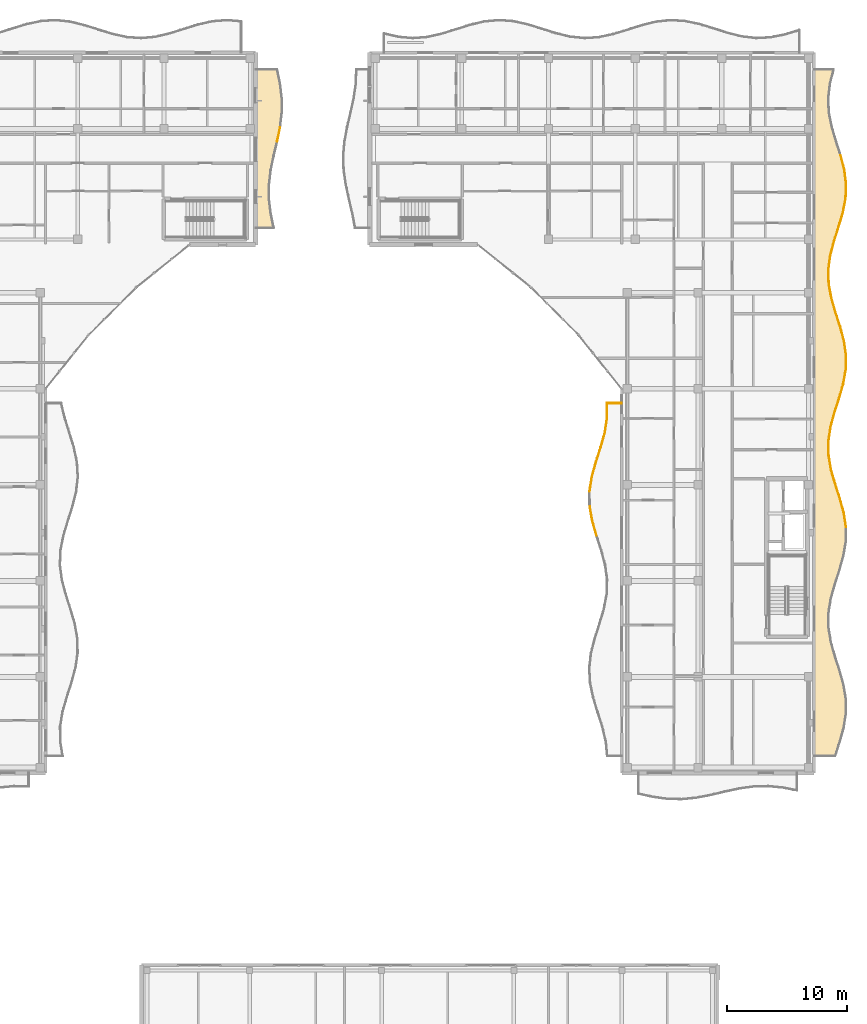
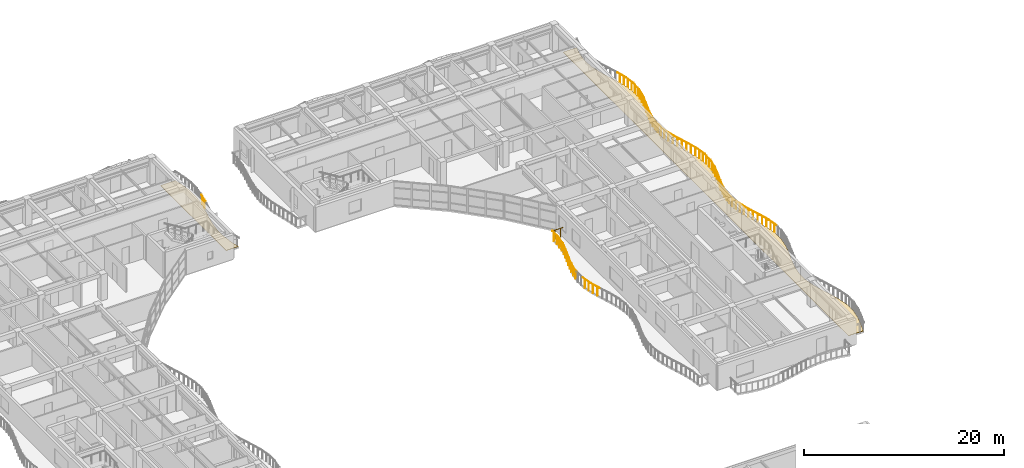
# One storey, part 87 of 89: 36 railings, 2 coverings.
"""IFC4 building model written with IfcOpenShell, lengths in metres."""

from ifc_helpers import new_model, si_unit, direction, frame, origin, origin_2d, place, context, subcontext, project, spatial, polyline, circle, outline, extrude, material, layer, layer_set, type_object, element, save


model = new_model("IFC4")

# Units and contexts
model_context = context("Model", 3, precision=1e-05, world=origin(), true_north=direction((0.0, 1.0)))
body_context = subcontext(model_context, "Body", "Model", "MODEL_VIEW")
ifc_project = project(units=[si_unit("LENGTHUNIT", "METRE"), si_unit("AREAUNIT", "SQUARE_METRE"), si_unit("VOLUMEUNIT", "CUBIC_METRE"), si_unit("PLANEANGLEUNIT", "RADIAN"), si_unit("MASSUNIT", "GRAM", prefix="KILO")], contexts=[model_context])

# Site, building, storey
site_placement = place(None, origin())
site = spatial("IfcSite", under=ifc_project, at=site_placement, CompositionType="ELEMENT")
building_placement = place(site_placement, origin())
building = spatial("IfcBuilding", under=site, at=building_placement, Name="Keldmere Railside Commons", CompositionType="ELEMENT")
storey_placement = place(building_placement, frame((0.0, 0.0, 7.360107421875)))
storey = spatial("IfcBuildingStorey", under=building, at=storey_placement, Name="L02", CompositionType="ELEMENT", Elevation=7.360107421875)

# Railings
ifc_material_1 = material(Name="Steel F-24 (S235)", Category="steel")
railing_type = type_object("IfcRailingType", Name="Balcony & Terrace Steel Balustrade 1100", PredefinedType="BALUSTRADE", material=ifc_material_1)
railing_1_placement = place(storey_placement, frame((139.29052734375, 108.60009765625, 0.0)))
element("IfcRailing", 1, at=railing_1_placement, inside=storey, type_object=railing_type, Name="GR-1 GRD-L02-2074", PredefinedType="BALUSTRADE", context=body_context, shape_type="SweptSolid", body=[
    extrude(circle(Radius=0.02392578125, at=origin_2d()), frame((0.0, 0.0, 1.076171875), z_axis=(0.201669789024, 0.979453570209, 0.0), x_axis=(-0.979453570209, 0.201669789024, 0.0)), (0.0, 0.0, 1.0), 1.22509765625),
    extrude(circle(Radius=0.02099609375, at=origin_2d()), frame((0.061767578125, 0.300048828125, 0.0)), (0.0, 0.0, 1.0), 1.048095703125),
    extrude(circle(Radius=0.02099609375, at=origin_2d()), frame((0.185302734375, 0.89990234375, 0.0)), (0.0, 0.0, 1.0), 1.048095703125),
])
railing_2_placement = place(storey_placement, frame((165.900146484375, 75.77490234375, 0.0)))
element("IfcRailing", 2, at=railing_2_placement, inside=storey, type_object=railing_type, Name="GR-1 GRD-L02-3336", PredefinedType="BALUSTRADE", context=body_context, shape_type="SweptSolid", body=[
    extrude(circle(Radius=0.02392578125, at=origin_2d()), frame((0.0, 0.0, 1.076171875), z_axis=(-0.277249031106, 0.960798092604, 0.0), x_axis=(-0.960798092604, -0.277249031106, 0.0)), (0.0, 0.0, 1.0), 1.275146484375),
    extrude(circle(Radius=0.02099609375, at=origin_2d()), frame((-0.08837890625, 0.30615234375, 0.0)), (0.0, 0.0, 1.0), 1.048095703125),
    extrude(circle(Radius=0.02099609375, at=origin_2d()), frame((-0.26513671875, 0.9189453125, 0.0)), (0.0, 0.0, 1.0), 1.048095703125),
])
railing_3_placement = place(storey_placement, frame((165.546630859375, 77.0, 0.0)))
element("IfcRailing", 3, at=railing_3_placement, inside=storey, type_object=railing_type, Name="GR-1 GRD-L02-3337", PredefinedType="BALUSTRADE", context=body_context, shape_type="SweptSolid", body=[
    extrude(circle(Radius=0.02392578125, at=origin_2d()), frame((0.0, 0.0, 1.076171875), z_axis=(-0.171399173902, 0.985201666252, 0.0), x_axis=(-0.985201666252, -0.171399173902, 0.0)), (0.0, 0.0, 1.0), 1.243408203125),
    extrude(circle(Radius=0.02099609375, at=origin_2d()), frame((-0.05322265625, 0.30615234375, 0.0)), (0.0, 0.0, 1.0), 1.048095703125),
    extrude(circle(Radius=0.02099609375, at=origin_2d()), frame((-0.159912109375, 0.9189453125, 0.0)), (0.0, 0.0, 1.0), 1.048095703125),
])
railing_4_placement = place(storey_placement, frame((165.3203125, 79.449951171875, 0.0)))
element("IfcRailing", 4, at=railing_4_placement, inside=storey, type_object=railing_type, Name="GR-1 GRD-L02-3339", PredefinedType="BALUSTRADE", context=body_context, shape_type="SweptSolid", body=[
    extrude(circle(Radius=0.02392578125, at=origin_2d()), frame((0.0, 0.0, 1.076171875), z_axis=(0.153595918581, 0.988133742869, 0.0), x_axis=(-0.988133742869, 0.153595918581, 0.0)), (0.0, 0.0, 1.0), 1.23974609375),
    extrude(circle(Radius=0.02099609375, at=origin_2d()), frame((0.047607421875, 0.30615234375, 0.0)), (0.0, 0.0, 1.0), 1.048095703125),
    extrude(circle(Radius=0.02099609375, at=origin_2d()), frame((0.142822265625, 0.9189453125, 0.0)), (0.0, 0.0, 1.0), 1.048095703125),
])
railing_5_placement = place(storey_placement, frame((165.5107421875, 80.675048828125, 0.0)))
element("IfcRailing", 5, at=railing_5_placement, inside=storey, type_object=railing_type, Name="GR-1 GRD-L02-3340", PredefinedType="BALUSTRADE", context=body_context, shape_type="SweptSolid", body=[
    extrude(circle(Radius=0.02392578125, at=origin_2d()), frame((0.0, 0.0, 1.076171875), z_axis=(0.268069708437, 0.963399518071, 0.0), x_axis=(-0.963399518071, 0.268069708437, 0.0)), (0.0, 0.0, 1.0), 1.271484375),
    extrude(circle(Radius=0.02099609375, at=origin_2d()), frame((0.085205078125, 0.30615234375, 0.0)), (0.0, 0.0, 1.0), 1.048095703125),
    extrude(circle(Radius=0.02099609375, at=origin_2d()), frame((0.255615234375, 0.918701171875, 0.0)), (0.0, 0.0, 1.0), 1.048095703125),
])
railing_6_placement = place(storey_placement, frame((165.8515625, 81.89990234375, 0.0)))
element("IfcRailing", 6, at=railing_6_placement, inside=storey, type_object=railing_type, Name="GR-1 GRD-L02-3341", PredefinedType="BALUSTRADE", context=body_context, shape_type="SweptSolid", body=[
    extrude(circle(Radius=0.02392578125, at=origin_2d()), frame((0.0, 0.0, 1.076171875), z_axis=(0.307739510091, 0.95147064796, 0.0), x_axis=(-0.95147064796, 0.307739510091, 0.0)), (0.0, 0.0, 1.0), 1.28759765625),
    extrude(circle(Radius=0.02099609375, at=origin_2d()), frame((0.09912109375, 0.30615234375, 0.0)), (0.0, 0.0, 1.0), 1.048095703125),
    extrude(circle(Radius=0.02099609375, at=origin_2d()), frame((0.297119140625, 0.9189453125, 0.0)), (0.0, 0.0, 1.0), 1.048095703125),
])
railing_7_placement = place(storey_placement, frame((166.247802734375, 83.125, 0.0)))
element("IfcRailing", 7, at=railing_7_placement, inside=storey, type_object=railing_type, Name="GR-1 GRD-L02-3342", PredefinedType="BALUSTRADE", context=body_context, shape_type="SweptSolid", body=[
    extrude(circle(Radius=0.02392578125, at=origin_2d()), frame((0.0, 0.0, 1.076171875), z_axis=(0.268020124699, 0.963413313566, 0.0), x_axis=(-0.963413313566, 0.268020124699, 0.0)), (0.0, 0.0, 1.0), 1.271728515625),
    extrude(circle(Radius=0.02099609375, at=origin_2d()), frame((0.085205078125, 0.30615234375, 0.0)), (0.0, 0.0, 1.0), 1.048095703125),
    extrude(circle(Radius=0.02099609375, at=origin_2d()), frame((0.255615234375, 0.9189453125, 0.0)), (0.0, 0.0, 1.0), 1.048095703125),
])
railing_8_placement = place(storey_placement, frame((166.588623046875, 84.35009765625, 0.0)))
element("IfcRailing", 8, at=railing_8_placement, inside=storey, type_object=railing_type, Name="GR-1 GRD-L02-3343", PredefinedType="BALUSTRADE", context=body_context, shape_type="SweptSolid", body=[
    extrude(circle(Radius=0.02392578125, at=origin_2d()), frame((0.0, 0.0, 1.076171875), z_axis=(0.153818110296, 0.988099179711, 0.0), x_axis=(-0.988099179711, 0.153818110296, 0.0)), (0.0, 0.0, 1.0), 1.239501953125),
    extrude(circle(Radius=0.02099609375, at=origin_2d()), frame((0.047607421875, 0.30615234375, 0.0)), (0.0, 0.0, 1.0), 1.048095703125),
    extrude(circle(Radius=0.02099609375, at=origin_2d()), frame((0.14306640625, 0.918701171875, 0.0)), (0.0, 0.0, 1.0), 1.048095703125),
])
railing_9_placement = place(storey_placement, frame((166.779296875, 85.574951171875, 0.0)))
element("IfcRailing", 9, at=railing_9_placement, inside=storey, type_object=railing_type, Name="GR-1 GRD-L02-3344", PredefinedType="BALUSTRADE", context=body_context, shape_type="SweptSolid", body=[
    extrude(circle(Radius=0.02392578125, at=origin_2d()), frame((0.0, 0.0, 1.076171875), z_axis=(-0.010362137944, 0.999946311607, 0.0), x_axis=(-0.999946311607, -0.010362137944, 0.0)), (0.0, 0.0, 1.0), 1.22509765625),
    extrude(circle(Radius=0.02099609375, at=origin_2d()), frame((-0.003173828125, 0.30615234375, 0.0)), (0.0, 0.0, 1.0), 1.048095703125),
    extrude(circle(Radius=0.02099609375, at=origin_2d()), frame((-0.009521484375, 0.9189453125, 0.0)), (0.0, 0.0, 1.0), 1.048095703125),
])
railing_10_placement = place(storey_placement, frame((166.7666015625, 86.800048828125, 0.0)))
element("IfcRailing", 10, at=railing_10_placement, inside=storey, type_object=railing_type, Name="GR-1 GRD-L02-3345", PredefinedType="BALUSTRADE", context=body_context, shape_type="SweptSolid", body=[
    extrude(circle(Radius=0.02392578125, at=origin_2d()), frame((0.0, 0.0, 1.076171875), z_axis=(1.0, 0.0, 0.0), x_axis=(0.0, 1.0, 0.0)), (0.0, 0.0, 1.0), 1.2333984375),
    extrude(circle(Radius=0.02099609375, at=origin_2d()), frame((0.308349609375, 0.0, 0.0)), (0.0, 0.0, 1.0), 1.048095703125),
    extrude(circle(Radius=0.02099609375, at=origin_2d()), frame((0.925048828125, 0.0, 0.0)), (0.0, 0.0, 1.0), 1.048095703125),
])
railing_11_placement = place(storey_placement, frame((186.679931640625, 76.466796875, 0.0)))
element("IfcRailing", 11, at=railing_11_placement, inside=storey, type_object=railing_type, Name="GR-1 GRD-L02-3363", PredefinedType="BALUSTRADE", context=body_context, shape_type="SweptSolid", body=[
    extrude(circle(Radius=0.02392578125, at=origin_2d()), frame((0.0, 0.0, 1.076171875), z_axis=(-0.151311303658, 0.988486160442, 0.0), x_axis=(-0.988486160442, -0.151311303658, 0.0)), (0.0, 0.0, 1.0), 1.205322265625),
    extrude(circle(Radius=0.02099609375, at=origin_2d()), frame((-0.045654296875, 0.2978515625, 0.0)), (0.0, 0.0, 1.0), 1.048095703125),
    extrude(circle(Radius=0.02099609375, at=origin_2d()), frame((-0.13671875, 0.8935546875, 0.0)), (0.0, 0.0, 1.0), 1.048095703125),
])
railing_12_placement = place(storey_placement, frame((186.49755859375, 77.658203125, 0.0)))
element("IfcRailing", 12, at=railing_12_placement, inside=storey, type_object=railing_type, Name="GR-1 GRD-L02-3364", PredefinedType="BALUSTRADE", context=body_context, shape_type="SweptSolid", body=[
    extrude(circle(Radius=0.02392578125, at=origin_2d()), frame((0.0, 0.0, 1.076171875), z_axis=(-0.264504463993, 0.964384460953, 0.0), x_axis=(-0.964384460953, -0.264504463993, 0.0)), (0.0, 0.0, 1.0), 1.23583984375),
    extrude(circle(Radius=0.02099609375, at=origin_2d()), frame((-0.081787109375, 0.2978515625, 0.0)), (0.0, 0.0, 1.0), 1.048095703125),
    extrude(circle(Radius=0.02099609375, at=origin_2d()), frame((-0.2451171875, 0.89404296875, 0.0)), (0.0, 0.0, 1.0), 1.048095703125),
])
railing_13_placement = place(storey_placement, frame((186.170654296875, 78.85009765625, 0.0)))
element("IfcRailing", 13, at=railing_13_placement, inside=storey, type_object=railing_type, Name="GR-1 GRD-L02-3365", PredefinedType="BALUSTRADE", context=body_context, shape_type="SweptSolid", body=[
    extrude(circle(Radius=0.02392578125, at=origin_2d()), frame((0.0, 0.0, 1.076171875), z_axis=(-0.307617856701, 0.951509986411, 0.0), x_axis=(-0.951509986411, -0.307617856701, 0.0)), (0.0, 0.0, 1.0), 1.25244140625),
    extrude(circle(Radius=0.02099609375, at=origin_2d()), frame((-0.09619140625, 0.2978515625, 0.0)), (0.0, 0.0, 1.0), 1.048095703125),
    extrude(circle(Radius=0.02099609375, at=origin_2d()), frame((-0.2890625, 0.893798828125, 0.0)), (0.0, 0.0, 1.0), 1.048095703125),
])
railing_14_placement = place(storey_placement, frame((185.785400390625, 80.041748046875, 0.0)))
element("IfcRailing", 14, at=railing_14_placement, inside=storey, type_object=railing_type, Name="GR-1 GRD-L02-3366", PredefinedType="BALUSTRADE", context=body_context, shape_type="SweptSolid", body=[
    extrude(circle(Radius=0.02392578125, at=origin_2d()), frame((0.0, 0.0, 1.076171875), z_axis=(-0.275709374851, 0.961241041893, 0.0), x_axis=(-0.961241041893, -0.275709374851, 0.0)), (0.0, 0.0, 1.0), 1.23974609375),
    extrude(circle(Radius=0.02099609375, at=origin_2d()), frame((-0.08544921875, 0.2978515625, 0.0)), (0.0, 0.0, 1.0), 1.048095703125),
    extrude(circle(Radius=0.02099609375, at=origin_2d()), frame((-0.25634765625, 0.893798828125, 0.0)), (0.0, 0.0, 1.0), 1.048095703125),
])
railing_15_placement = place(storey_placement, frame((185.443603515625, 81.2333984375, 0.0)))
element("IfcRailing", 15, at=railing_15_placement, inside=storey, type_object=railing_type, Name="GR-1 GRD-L02-3367", PredefinedType="BALUSTRADE", context=body_context, shape_type="SweptSolid", body=[
    extrude(circle(Radius=0.02392578125, at=origin_2d()), frame((0.0, 0.0, 1.076171875), z_axis=(-0.171954391488, 0.985104911798, 0.0), x_axis=(-0.985104911798, -0.171954391488, 0.0)), (0.0, 0.0, 1.0), 1.209716796875),
    extrude(circle(Radius=0.02099609375, at=origin_2d()), frame((-0.052001953125, 0.2978515625, 0.0)), (0.0, 0.0, 1.0), 1.048095703125),
    extrude(circle(Radius=0.02099609375, at=origin_2d()), frame((-0.156005859375, 0.893798828125, 0.0)), (0.0, 0.0, 1.0), 1.048095703125),
])
railing_16_placement = place(storey_placement, frame((185.235595703125, 82.425048828125, 0.0)))
element("IfcRailing", 16, at=railing_16_placement, inside=storey, type_object=railing_type, Name="GR-1 GRD-L02-3368", PredefinedType="BALUSTRADE", context=body_context, shape_type="SweptSolid", body=[
    extrude(circle(Radius=0.02392578125, at=origin_2d()), frame((0.0, 0.0, 1.076171875), z_axis=(-0.015978291833, 0.999872338946, 0.0), x_axis=(-0.999872338946, -0.015978291833, 0.0)), (0.0, 0.0, 1.0), 1.19189453125),
    extrude(circle(Radius=0.02099609375, at=origin_2d()), frame((-0.0048828125, 0.2978515625, 0.0)), (0.0, 0.0, 1.0), 1.048095703125),
    extrude(circle(Radius=0.02099609375, at=origin_2d()), frame((-0.01416015625, 0.893798828125, 0.0)), (0.0, 0.0, 1.0), 1.048095703125),
])
railing_17_placement = place(storey_placement, frame((185.216552734375, 83.61669921875, 0.0)))
element("IfcRailing", 17, at=railing_17_placement, inside=storey, type_object=railing_type, Name="GR-1 GRD-L02-3369", PredefinedType="BALUSTRADE", context=body_context, shape_type="SweptSolid", body=[
    extrude(circle(Radius=0.02392578125, at=origin_2d()), frame((0.0, 0.0, 1.076171875), z_axis=(0.145137999956, 0.989411421487, 0.0), x_axis=(-0.989411421487, 0.145137999956, 0.0)), (0.0, 0.0, 1.0), 1.204345703125),
    extrude(circle(Radius=0.02099609375, at=origin_2d()), frame((0.043701171875, 0.2978515625, 0.0)), (0.0, 0.0, 1.0), 1.048095703125),
    extrude(circle(Radius=0.02099609375, at=origin_2d()), frame((0.131103515625, 0.893798828125, 0.0)), (0.0, 0.0, 1.0), 1.048095703125),
])
railing_18_placement = place(storey_placement, frame((185.391357421875, 84.808349609375, 0.0)))
element("IfcRailing", 18, at=railing_18_placement, inside=storey, type_object=railing_type, Name="GR-1 GRD-L02-3370", PredefinedType="BALUSTRADE", context=body_context, shape_type="SweptSolid", body=[
    extrude(circle(Radius=0.02392578125, at=origin_2d()), frame((0.0, 0.0, 1.076171875), z_axis=(0.26124274024, 0.965273137859, 0.0), x_axis=(-0.965273137859, 0.26124274024, 0.0)), (0.0, 0.0, 1.0), 1.234619140625),
    extrude(circle(Radius=0.02099609375, at=origin_2d()), frame((0.08056640625, 0.2978515625, 0.0)), (0.0, 0.0, 1.0), 1.048095703125),
    extrude(circle(Radius=0.02099609375, at=origin_2d()), frame((0.241943359375, 0.893798828125, 0.0)), (0.0, 0.0, 1.0), 1.048095703125),
])
railing_19_placement = place(storey_placement, frame((185.7138671875, 86.0, 0.0)))
element("IfcRailing", 19, at=railing_19_placement, inside=storey, type_object=railing_type, Name="GR-1 GRD-L02-3371", PredefinedType="BALUSTRADE", context=body_context, shape_type="SweptSolid", body=[
    extrude(circle(Radius=0.02392578125, at=origin_2d()), frame((0.0, 0.0, 1.076171875), z_axis=(0.307264804156, 0.951624053987, 0.0), x_axis=(-0.951624053987, 0.307264804156, 0.0)), (0.0, 0.0, 1.0), 1.252197265625),
    extrude(circle(Radius=0.02099609375, at=origin_2d()), frame((0.09619140625, 0.2978515625, 0.0)), (0.0, 0.0, 1.0), 1.048095703125),
    extrude(circle(Radius=0.02099609375, at=origin_2d()), frame((0.28857421875, 0.893798828125, 0.0)), (0.0, 0.0, 1.0), 1.048095703125),
])
railing_20_placement = place(storey_placement, frame((186.0986328125, 87.191650390625, 0.0)))
element("IfcRailing", 20, at=railing_20_placement, inside=storey, type_object=railing_type, Name="GR-1 GRD-L02-3372", PredefinedType="BALUSTRADE", context=body_context, shape_type="SweptSolid", body=[
    extrude(circle(Radius=0.02392578125, at=origin_2d()), frame((0.0, 0.0, 1.076171875), z_axis=(0.278435509504, 0.96045492713, 0.0), x_axis=(-0.96045492713, 0.278435509504, 0.0)), (0.0, 0.0, 1.0), 1.24072265625),
    extrude(circle(Radius=0.02099609375, at=origin_2d()), frame((0.08642578125, 0.2978515625, 0.0)), (0.0, 0.0, 1.0), 1.048095703125),
    extrude(circle(Radius=0.02099609375, at=origin_2d()), frame((0.259033203125, 0.893798828125, 0.0)), (0.0, 0.0, 1.0), 1.048095703125),
])
railing_21_placement = place(storey_placement, frame((186.444091796875, 88.38330078125, 0.0)))
element("IfcRailing", 21, at=railing_21_placement, inside=storey, type_object=railing_type, Name="GR-1 GRD-L02-3373", PredefinedType="BALUSTRADE", context=body_context, shape_type="SweptSolid", body=[
    extrude(circle(Radius=0.02392578125, at=origin_2d()), frame((0.0, 0.0, 1.076171875), z_axis=(0.177625581435, 0.984098141864, 0.0), x_axis=(-0.984098141864, 0.177625581435, 0.0)), (0.0, 0.0, 1.0), 1.2109375),
    extrude(circle(Radius=0.02099609375, at=origin_2d()), frame((0.0537109375, 0.2978515625, 0.0)), (0.0, 0.0, 1.0), 1.048095703125),
    extrude(circle(Radius=0.02099609375, at=origin_2d()), frame((0.161376953125, 0.893798828125, 0.0)), (0.0, 0.0, 1.0), 1.048095703125),
])
railing_22_placement = place(storey_placement, frame((186.6591796875, 89.574951171875, 0.0)))
element("IfcRailing", 22, at=railing_22_placement, inside=storey, type_object=railing_type, Name="GR-1 GRD-L02-3374", PredefinedType="BALUSTRADE", context=body_context, shape_type="SweptSolid", body=[
    extrude(circle(Radius=0.02392578125, at=origin_2d()), frame((0.0, 0.0, 1.076171875), z_axis=(0.02314479204, 0.999732123422, 0.0), x_axis=(-0.999732123422, 0.02314479204, 0.0)), (0.0, 0.0, 1.0), 1.19189453125),
    extrude(circle(Radius=0.02099609375, at=origin_2d()), frame((0.0068359375, 0.2978515625, 0.0)), (0.0, 0.0, 1.0), 1.048095703125),
    extrude(circle(Radius=0.02099609375, at=origin_2d()), frame((0.020751953125, 0.893798828125, 0.0)), (0.0, 0.0, 1.0), 1.048095703125),
])
railing_23_placement = place(storey_placement, frame((186.686767578125, 90.7666015625, 0.0)))
element("IfcRailing", 23, at=railing_23_placement, inside=storey, type_object=railing_type, Name="GR-1 GRD-L02-3375", PredefinedType="BALUSTRADE", context=body_context, shape_type="SweptSolid", body=[
    extrude(circle(Radius=0.02392578125, at=origin_2d()), frame((0.0, 0.0, 1.076171875), z_axis=(-0.13897815634, 0.990295446854, 0.0), x_axis=(-0.990295446854, -0.13897815634, 0.0)), (0.0, 0.0, 1.0), 1.203369140625),
    extrude(circle(Radius=0.02099609375, at=origin_2d()), frame((-0.041748046875, 0.2978515625, 0.0)), (0.0, 0.0, 1.0), 1.048095703125),
    extrude(circle(Radius=0.02099609375, at=origin_2d()), frame((-0.12548828125, 0.893798828125, 0.0)), (0.0, 0.0, 1.0), 1.048095703125),
])
railing_24_placement = place(storey_placement, frame((186.51953125, 91.958251953125, 0.0)))
element("IfcRailing", 24, at=railing_24_placement, inside=storey, type_object=railing_type, Name="GR-1 GRD-L02-3376", PredefinedType="BALUSTRADE", context=body_context, shape_type="SweptSolid", body=[
    extrude(circle(Radius=0.02392578125, at=origin_2d()), frame((0.0, 0.0, 1.076171875), z_axis=(-0.25773657467, 0.966215223476, 0.0), x_axis=(-0.966215223476, -0.25773657467, 0.0)), (0.0, 0.0, 1.0), 1.2333984375),
    extrude(circle(Radius=0.02099609375, at=origin_2d()), frame((-0.07958984375, 0.2978515625, 0.0)), (0.0, 0.0, 1.0), 1.048095703125),
    extrude(circle(Radius=0.02099609375, at=origin_2d()), frame((-0.23828125, 0.893798828125, 0.0)), (0.0, 0.0, 1.0), 1.048095703125),
])
railing_25_placement = place(storey_placement, frame((186.20166015625, 93.14990234375, 0.0)))
element("IfcRailing", 25, at=railing_25_placement, inside=storey, type_object=railing_type, Name="GR-1 GRD-L02-3377", PredefinedType="BALUSTRADE", context=body_context, shape_type="SweptSolid", body=[
    extrude(circle(Radius=0.02392578125, at=origin_2d()), frame((0.0, 0.0, 1.076171875), z_axis=(-0.306854678722, 0.951756379619, 0.0), x_axis=(-0.951756379619, -0.306854678722, 0.0)), (0.0, 0.0, 1.0), 1.252197265625),
    extrude(circle(Radius=0.02099609375, at=origin_2d()), frame((-0.09619140625, 0.2978515625, 0.0)), (0.0, 0.0, 1.0), 1.048095703125),
    extrude(circle(Radius=0.02099609375, at=origin_2d()), frame((-0.2880859375, 0.89404296875, 0.0)), (0.0, 0.0, 1.0), 1.048095703125),
])
railing_26_placement = place(storey_placement, frame((185.8173828125, 94.341796875, 0.0)))
element("IfcRailing", 26, at=railing_26_placement, inside=storey, type_object=railing_type, Name="GR-1 GRD-L02-3378", PredefinedType="BALUSTRADE", context=body_context, shape_type="SweptSolid", body=[
    extrude(circle(Radius=0.02392578125, at=origin_2d()), frame((0.0, 0.0, 1.076171875), z_axis=(-0.281207989356, 0.959646844794, 0.0), x_axis=(-0.959646844794, -0.281207989356, 0.0)), (0.0, 0.0, 1.0), 1.241455078125),
    extrude(circle(Radius=0.02099609375, at=origin_2d()), frame((-0.08740234375, 0.2978515625, 0.0)), (0.0, 0.0, 1.0), 1.048095703125),
    extrude(circle(Radius=0.02099609375, at=origin_2d()), frame((-0.26171875, 0.8935546875, 0.0)), (0.0, 0.0, 1.0), 1.048095703125),
])
railing_27_placement = place(storey_placement, frame((185.46826171875, 95.533203125, 0.0)))
element("IfcRailing", 27, at=railing_27_placement, inside=storey, type_object=railing_type, Name="GR-1 GRD-L02-3379", PredefinedType="BALUSTRADE", context=body_context, shape_type="SweptSolid", body=[
    extrude(circle(Radius=0.02392578125, at=origin_2d()), frame((0.0, 0.0, 1.076171875), z_axis=(-0.183048233435, 0.983103933588, 0.0), x_axis=(-0.983103933588, -0.183048233435, 0.0)), (0.0, 0.0, 1.0), 1.21240234375),
    extrude(circle(Radius=0.02099609375, at=origin_2d()), frame((-0.055419921875, 0.2978515625, 0.0)), (0.0, 0.0, 1.0), 1.048095703125),
    extrude(circle(Radius=0.02099609375, at=origin_2d()), frame((-0.16650390625, 0.89404296875, 0.0)), (0.0, 0.0, 1.0), 1.048095703125),
])
railing_28_placement = place(storey_placement, frame((185.246337890625, 96.72509765625, 0.0)))
element("IfcRailing", 28, at=railing_28_placement, inside=storey, type_object=railing_type, Name="GR-1 GRD-L02-3380", PredefinedType="BALUSTRADE", context=body_context, shape_type="SweptSolid", body=[
    extrude(circle(Radius=0.02392578125, at=origin_2d()), frame((0.0, 0.0, 1.076171875), z_axis=(-0.030103130366, 0.999546798075, 0.0), x_axis=(-0.999546798075, -0.030103130366, 0.0)), (0.0, 0.0, 1.0), 1.192138671875),
    extrude(circle(Radius=0.02099609375, at=origin_2d()), frame((-0.009033203125, 0.2978515625, 0.0)), (0.0, 0.0, 1.0), 1.048095703125),
    extrude(circle(Radius=0.02099609375, at=origin_2d()), frame((-0.02685546875, 0.893798828125, 0.0)), (0.0, 0.0, 1.0), 1.048095703125),
])
railing_29_placement = place(storey_placement, frame((185.21044921875, 97.916748046875, 0.0)))
element("IfcRailing", 29, at=railing_29_placement, inside=storey, type_object=railing_type, Name="GR-1 GRD-L02-3381", PredefinedType="BALUSTRADE", context=body_context, shape_type="SweptSolid", body=[
    extrude(circle(Radius=0.02392578125, at=origin_2d()), frame((0.0, 0.0, 1.076171875), z_axis=(0.132802138919, 0.991142568906, 0.0), x_axis=(-0.991142568906, 0.132802138919, 0.0)), (0.0, 0.0, 1.0), 1.202392578125),
    extrude(circle(Radius=0.02099609375, at=origin_2d()), frame((0.0400390625, 0.2978515625, 0.0)), (0.0, 0.0, 1.0), 1.048095703125),
    extrude(circle(Radius=0.02099609375, at=origin_2d()), frame((0.11962890625, 0.893798828125, 0.0)), (0.0, 0.0, 1.0), 1.048095703125),
])
railing_30_placement = place(storey_placement, frame((185.3701171875, 99.1083984375, 0.0)))
element("IfcRailing", 30, at=railing_30_placement, inside=storey, type_object=railing_type, Name="GR-1 GRD-L02-3382", PredefinedType="BALUSTRADE", context=body_context, shape_type="SweptSolid", body=[
    extrude(circle(Radius=0.02392578125, at=origin_2d()), frame((0.0, 0.0, 1.076171875), z_axis=(0.253849463081, 0.96724373872, 0.0), x_axis=(-0.96724373872, 0.253849463081, 0.0)), (0.0, 0.0, 1.0), 1.23193359375),
    extrude(circle(Radius=0.02099609375, at=origin_2d()), frame((0.078125, 0.2978515625, 0.0)), (0.0, 0.0, 1.0), 1.048095703125),
    extrude(circle(Radius=0.02099609375, at=origin_2d()), frame((0.234619140625, 0.893798828125, 0.0)), (0.0, 0.0, 1.0), 1.048095703125),
])
railing_31_placement = place(storey_placement, frame((185.682861328125, 100.300048828125, 0.0)))
element("IfcRailing", 31, at=railing_31_placement, inside=storey, type_object=railing_type, Name="GR-1 GRD-L02-3383", PredefinedType="BALUSTRADE", context=body_context, shape_type="SweptSolid", body=[
    extrude(circle(Radius=0.02392578125, at=origin_2d()), frame((0.0, 0.0, 1.076171875), z_axis=(0.306381617694, 0.951908768916, 0.0), x_axis=(-0.951908768916, 0.306381617694, 0.0)), (0.0, 0.0, 1.0), 1.251953125),
    extrude(circle(Radius=0.02099609375, at=origin_2d()), frame((0.095947265625, 0.2978515625, 0.0)), (0.0, 0.0, 1.0), 1.048095703125),
    extrude(circle(Radius=0.02099609375, at=origin_2d()), frame((0.28759765625, 0.893798828125, 0.0)), (0.0, 0.0, 1.0), 1.048095703125),
])
railing_32_placement = place(storey_placement, frame((186.06640625, 101.49169921875, 0.0)))
element("IfcRailing", 32, at=railing_32_placement, inside=storey, type_object=railing_type, Name="GR-1 GRD-L02-3384", PredefinedType="BALUSTRADE", context=body_context, shape_type="SweptSolid", body=[
    extrude(circle(Radius=0.02392578125, at=origin_2d()), frame((0.0, 0.0, 1.076171875), z_axis=(0.283867596673, 0.958863487447, 0.0), x_axis=(-0.958863487447, 0.283867596673, 0.0)), (0.0, 0.0, 1.0), 1.24267578125),
    extrude(circle(Radius=0.02099609375, at=origin_2d()), frame((0.088134765625, 0.2978515625, 0.0)), (0.0, 0.0, 1.0), 1.048095703125),
    extrude(circle(Radius=0.02099609375, at=origin_2d()), frame((0.2646484375, 0.893798828125, 0.0)), (0.0, 0.0, 1.0), 1.048095703125),
])
railing_33_placement = place(storey_placement, frame((186.419189453125, 102.683349609375, 0.0)))
element("IfcRailing", 33, at=railing_33_placement, inside=storey, type_object=railing_type, Name="GR-1 GRD-L02-3385", PredefinedType="BALUSTRADE", context=body_context, shape_type="SweptSolid", body=[
    extrude(circle(Radius=0.02392578125, at=origin_2d()), frame((0.0, 0.0, 1.076171875), z_axis=(0.188526493271, 0.982068104224, 0.0), x_axis=(-0.982068104224, 0.188526493271, 0.0)), (0.0, 0.0, 1.0), 1.21337890625),
    extrude(circle(Radius=0.02099609375, at=origin_2d()), frame((0.05712890625, 0.2978515625, 0.0)), (0.0, 0.0, 1.0), 1.048095703125),
    extrude(circle(Radius=0.02099609375, at=origin_2d()), frame((0.171630859375, 0.893798828125, 0.0)), (0.0, 0.0, 1.0), 1.048095703125),
])
railing_34_placement = place(storey_placement, frame((186.64794921875, 103.875, 0.0)))
element("IfcRailing", 34, at=railing_34_placement, inside=storey, type_object=railing_type, Name="GR-1 GRD-L02-3386", PredefinedType="BALUSTRADE", context=body_context, shape_type="SweptSolid", body=[
    extrude(circle(Radius=0.02392578125, at=origin_2d()), frame((0.0, 0.0, 1.076171875), z_axis=(0.037057094888, 0.999313149978, 0.0), x_axis=(-0.999313149978, 0.037057094888, 0.0)), (0.0, 0.0, 1.0), 1.1923828125),
    extrude(circle(Radius=0.02099609375, at=origin_2d()), frame((0.010986328125, 0.2978515625, 0.0)), (0.0, 0.0, 1.0), 1.048095703125),
    extrude(circle(Radius=0.02099609375, at=origin_2d()), frame((0.033203125, 0.893798828125, 0.0)), (0.0, 0.0, 1.0), 1.048095703125),
])
railing_35_placement = place(storey_placement, frame((186.692138671875, 105.066650390625, 0.0)))
element("IfcRailing", 35, at=railing_35_placement, inside=storey, type_object=railing_type, Name="GR-1 GRD-L02-3387", PredefinedType="BALUSTRADE", context=body_context, shape_type="SweptSolid", body=[
    extrude(circle(Radius=0.02392578125, at=origin_2d()), frame((0.0, 0.0, 1.076171875), z_axis=(-0.126410636252, 0.991977999273, 0.0), x_axis=(-0.991977999273, -0.126410636252, 0.0)), (0.0, 0.0, 1.0), 1.201171875),
    extrude(circle(Radius=0.02099609375, at=origin_2d()), frame((-0.0380859375, 0.2978515625, 0.0)), (0.0, 0.0, 1.0), 1.048095703125),
    extrude(circle(Radius=0.02099609375, at=origin_2d()), frame((-0.11376953125, 0.893798828125, 0.0)), (0.0, 0.0, 1.0), 1.048095703125),
])
railing_36_placement = place(storey_placement, frame((186.540283203125, 106.25830078125, 0.0)))
element("IfcRailing", 36, at=railing_36_placement, inside=storey, type_object=railing_type, Name="GR-1 GRD-L02-3388", PredefinedType="BALUSTRADE", context=body_context, shape_type="SweptSolid", body=[
    extrude(circle(Radius=0.02392578125, at=origin_2d()), frame((0.0, 0.0, 1.076171875), z_axis=(-0.25013597906, 0.968210716724, 0.0), x_axis=(-0.968210716724, -0.25013597906, 0.0)), (0.0, 0.0, 1.0), 1.230712890625),
    extrude(circle(Radius=0.02099609375, at=origin_2d()), frame((-0.076904296875, 0.2978515625, 0.0)), (0.0, 0.0, 1.0), 1.048095703125),
    extrude(circle(Radius=0.02099609375, at=origin_2d()), frame((-0.23095703125, 0.893798828125, 0.0)), (0.0, 0.0, 1.0), 1.048095703125),
])

# Coverings
ifc_material_2 = material(Name="White Precast Concrete C35/45", Category="concrete")
ifc_layer = layer(ifc_material_2, 0.044921875, Name="White Architectural Balcony Ribbon Cladding 45")
ifc_layer_set = layer_set([ifc_layer], Name="White Precast Concrete C35/45")
covering_type = type_object("IfcCoveringType", Name="White Architectural Balcony Ribbon Cladding 45", PredefinedType="FLOORING", material=ifc_layer_set)
covering_1_placement = place(storey_placement, origin())
element("IfcCovering", 37, at=covering_1_placement, inside=storey, type_object=covering_type, Name="CLG-WB B L02 WE White Balcony Ribbon", PredefinedType="FLOORING", context=body_context, shape_type="SweptSolid", body=[
    extrude(outline(polyline([(138.72314453125, 102.591796875), (138.72265625, 102.59521484375), (138.57958984375, 103.79541015625), (138.5791015625, 103.800048828125), (138.578369140625, 105.0), (138.57861328125, 105.004638671875), (138.72021484375, 106.20458984375), (138.720703125, 106.2080078125), (138.966552734375, 107.407958984375), (138.966796875, 107.4091796875), (139.25146484375, 108.608642578125), (139.498046875, 109.806396484375), (139.640869140625, 111.00244140625), (139.6416015625, 112.19775390625), (139.500732421875, 113.3935546875), (139.26171875, 114.56005859375), (137.5400390625, 114.56005859375), (137.5400390625, 101.43994140625), (138.96044921875, 101.43994140625), (138.72314453125, 102.591796875)])), origin(), (0.0, 0.0, 1.0), 0.044921875),
])
covering_2_placement = place(storey_placement, origin())
element("IfcCovering", 38, at=covering_2_placement, inside=storey, type_object=covering_type, Name="CLG-WB A L02 CE White Balcony Ribbon", PredefinedType="FLOORING", context=body_context, shape_type="SweptSolid", body=[
    extrude(outline(polyline([(186.123779296875, 58.603271484375), (186.452392578125, 59.791748046875), (186.6376953125, 60.97802734375), (186.631591796875, 62.163330078125), (186.435791015625, 63.349609375), (186.100830078125, 64.538330078125), (185.715576171875, 65.7294921875), (185.715087890625, 65.73095703125), (185.38134765625, 66.922607421875), (185.38037109375, 66.927001953125), (185.18701171875, 68.11865234375), (185.1865234375, 68.12158203125), (185.186279296875, 68.125), (185.18408203125, 69.316650390625), (185.18408203125, 69.31982421875), (185.1845703125, 69.322998046875), (185.374267578125, 70.5146484375), (185.375244140625, 70.51904296875), (185.70654296875, 71.710693359375), (185.706787109375, 71.71240234375), (186.09228515625, 72.9033203125), (186.42919921875, 74.092041015625), (186.629150390625, 75.278564453125), (186.639892578125, 76.4638671875), (186.45849609375, 77.64990234375), (186.13232421875, 78.83837890625), (185.747314453125, 80.029296875), (185.746826171875, 80.03076171875), (185.405029296875, 81.222412109375), (185.404296875, 81.226318359375), (185.1962890625, 82.418212890625), (185.19580078125, 82.421142578125), (185.195556640625, 82.42431640625), (185.176513671875, 83.6162109375), (185.176513671875, 83.619384765625), (185.177001953125, 83.62255859375), (185.351806640625, 84.814208984375), (185.352783203125, 84.818603515625), (185.67529296875, 86.010498046875), (185.67578125, 86.01220703125), (186.060546875, 87.203369140625), (186.4052734375, 88.392333984375), (186.619384765625, 89.5791015625), (186.646484375, 90.764404296875), (186.480224609375, 91.9501953125), (186.163330078125, 93.138671875), (185.779296875, 94.329345703125), (185.779052734375, 94.33056640625), (185.4296875, 95.522216796875), (185.428955078125, 95.52587890625), (185.20703125, 96.7177734375), (185.20654296875, 96.720703125), (185.206298828125, 96.723876953125), (185.17041015625, 97.91552734375), (185.17041015625, 97.918701171875), (185.1708984375, 97.922119140625), (185.330322265625, 99.113525390625), (185.331298828125, 99.118408203125), (185.644287109375, 100.310302734375), (185.644775390625, 100.312255859375), (186.0283203125, 101.50341796875), (186.38037109375, 102.69287109375), (186.60791015625, 103.87939453125), (186.652099609375, 105.06494140625), (186.500732421875, 106.250732421875), (186.19384765625, 107.43896484375), (185.8115234375, 108.62939453125), (185.811279296875, 108.630126953125), (185.455322265625, 109.82177734375), (185.45458984375, 109.825439453125), (185.218994140625, 111.01708984375), (185.218505859375, 111.020263671875), (185.21826171875, 111.023193359375), (185.165771484375, 112.21484375), (185.165771484375, 112.21826171875), (185.166015625, 112.221435546875), (185.31005859375, 113.4130859375), (185.31103515625, 113.418212890625), (185.601318359375, 114.56005859375), (184.0400390625, 114.56005859375), (184.0400390625, 57.43994140625), (185.74755859375, 57.43994140625), (186.123779296875, 58.603271484375)])), origin(), (0.0, 0.0, 1.0), 0.044921875),
])

save(model, "model.ifc")
